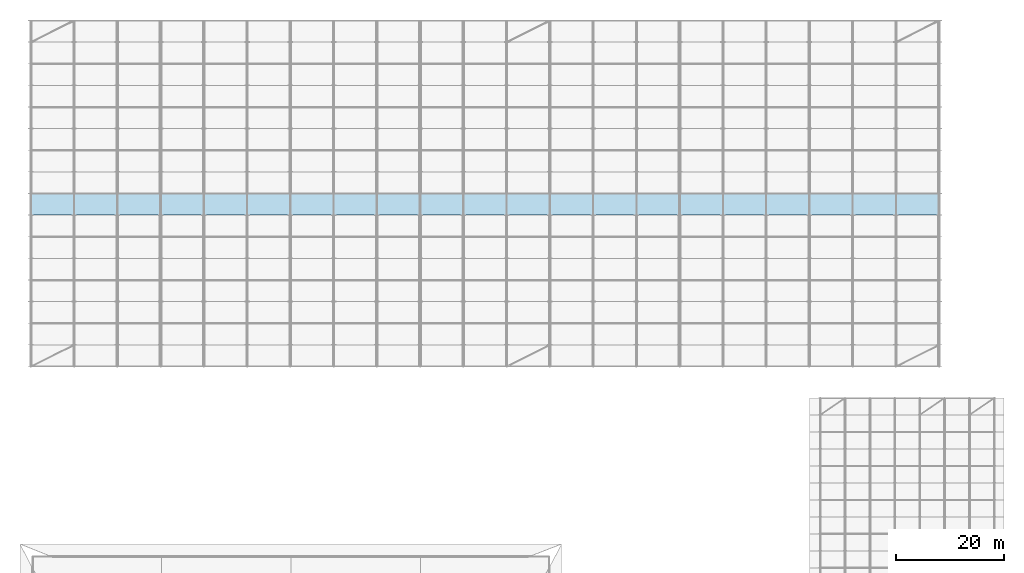
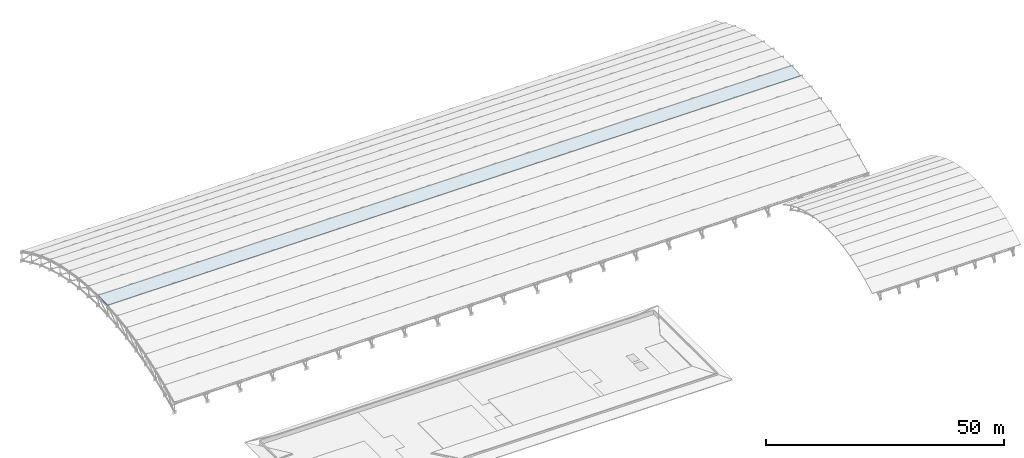
# One storey, part 76 of 98: 1 slab.
"""IFC4 building model written with IfcOpenShell, lengths in metres."""

from ifc_helpers import new_model, si_unit, direction, frame, origin, place, context, subcontext, project, spatial, polyline, outline, extrude, material, layer, layer_set, type_object, element, save


model = new_model("IFC4")

# Units and contexts
model_context = context("Model", 3, precision=1e-05, world=origin(), true_north=direction((0.0, 1.0)))
body_context = subcontext(model_context, "Body", "Model", "MODEL_VIEW")
ifc_project = project(units=[si_unit("LENGTHUNIT", "METRE"), si_unit("AREAUNIT", "SQUARE_METRE"), si_unit("VOLUMEUNIT", "CUBIC_METRE"), si_unit("PLANEANGLEUNIT", "RADIAN"), si_unit("MASSUNIT", "GRAM", prefix="KILO")], contexts=[model_context])

# Site, building, storey
site_placement = place(None, origin())
site = spatial("IfcSite", under=ifc_project, at=site_placement, CompositionType="ELEMENT")
building_placement = place(site_placement, origin())
building = spatial("IfcBuilding", under=site, at=building_placement, Name="Tlacozan Convention Centre", CompositionType="ELEMENT")
storey_placement = place(building_placement, frame((0.0, 0.0, 25.800048828125)))
storey = spatial("IfcBuildingStorey", under=building, at=storey_placement, Name="Roof", CompositionType="ELEMENT", Elevation=25.800048828125)

# Slab
ifc_material = material(Name="Concrete C40/50", Category="concrete")
ifc_layer = layer(ifc_material, 0.179931640625)
ifc_layer_set = layer_set([ifc_layer], Name="Concrete C40/50")
slab_type = type_object("IfcSlabType", Name="Exhibition Arched Roof Deck 180", PredefinedType="ROOF", material=ifc_layer_set)
slab_placement = place(storey_placement, frame((0.0, 90.0, -2.40771484375), z_axis=(0.0, -0.029406222899, 0.999567543518), x_axis=(1.0, 0.0, 0.0)))
element("IfcSlab", 1, at=slab_placement, inside=storey, type_object=slab_type, Name="V2A Arched Roof Facet Slab 8", PredefinedType="ROOF", context=body_context, shape_type="SweptSolid", body=[
    extrude(outline(polyline([(0.0, 0.0), (168.0, 0.0), (168.0, 4.001730574325662), (0.0, 4.001730574325662), (0.0, 0.0)])), origin(), (0.0, 0.0, -1.0), 0.179931640625),
])

save(model, "model.ifc")
